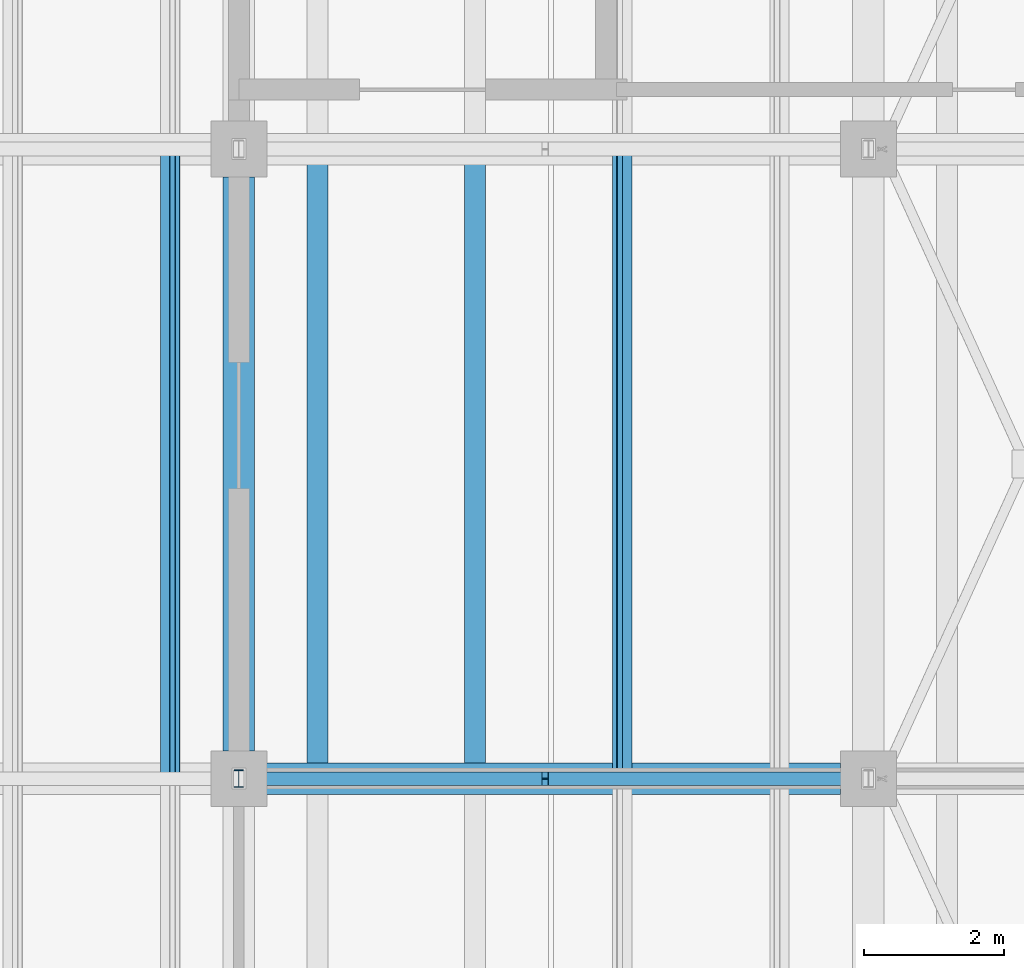
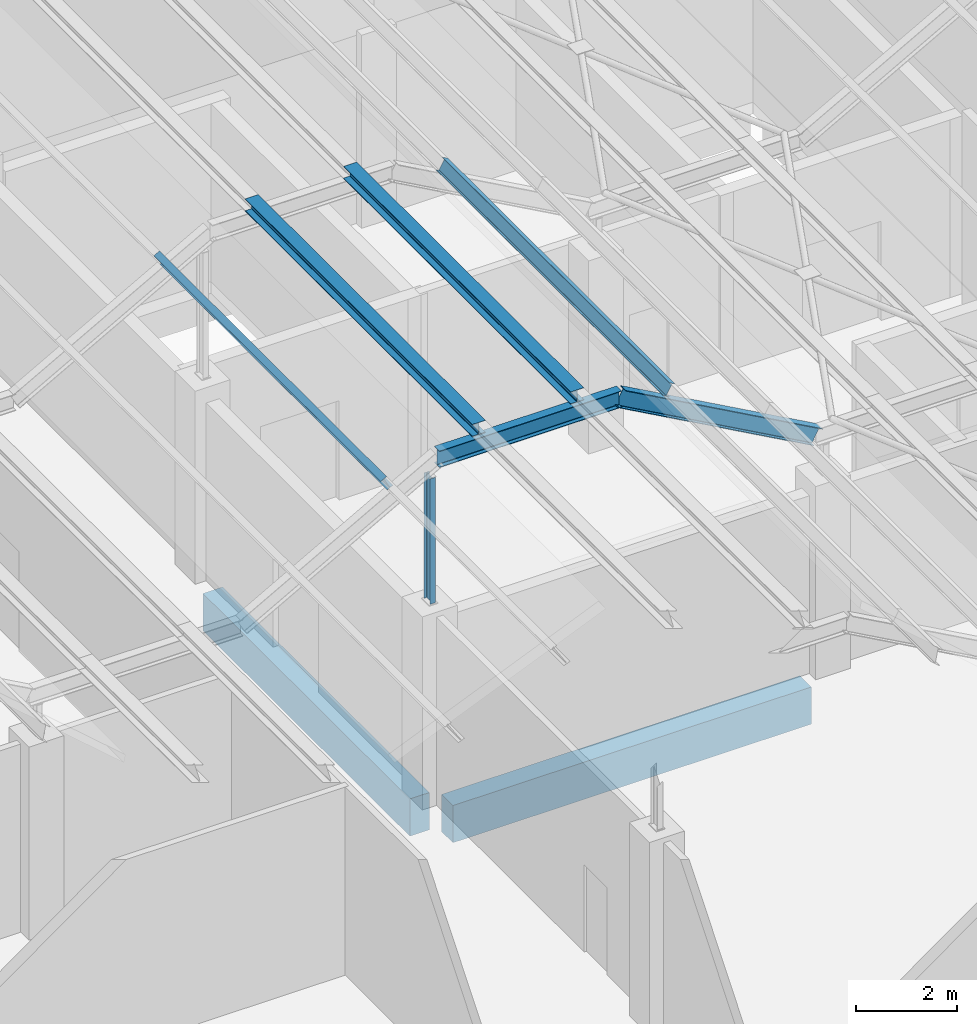
# One storey, part 64 of 437: 7 members, 2 beams.
"""IFC4 building model written with IfcOpenShell, lengths in metres."""

from ifc_helpers import new_model, si_unit, direction, frame, origin, origin_2d, place, context, subcontext, project, spatial, rectangle, i_section, extrude, material, material_profile, profile_set, type_object, element, save


model = new_model("IFC4")

# Units and contexts
model_context = context("Model", 3, precision=1e-05, world=origin(), true_north=direction((0.0, 1.0)))
body_context = subcontext(model_context, "Body", "Model", "MODEL_VIEW")
ifc_project = project(units=[si_unit("LENGTHUNIT", "METRE"), si_unit("AREAUNIT", "SQUARE_METRE"), si_unit("VOLUMEUNIT", "CUBIC_METRE"), si_unit("PLANEANGLEUNIT", "RADIAN"), si_unit("MASSUNIT", "GRAM", prefix="KILO")], contexts=[model_context])

# Site, building, storey
site_placement = place(None, origin())
site = spatial("IfcSite", under=ifc_project, at=site_placement, CompositionType="ELEMENT")
building_placement = place(site_placement, origin())
building = spatial("IfcBuilding", under=site, at=building_placement, Name="Opaline Strait Convention Centre", CompositionType="ELEMENT")
storey_placement = place(building_placement, frame((0.0, 0.0, 11.5)))
storey = spatial("IfcBuildingStorey", under=building, at=storey_placement, Name="L02", CompositionType="ELEMENT", Elevation=11.5)

# Members
ifc_material_1 = material(Name="Steel Q355B", Category="steel")
ifc_material_profile_1 = material_profile(ifc_material_1, i_section(OverallWidth=0.300048828125, OverallDepth=0.300048828125, WebThickness=0.010009765625, FlangeThickness=0.014892578125, FilletRadius=0.012939453125, at=origin_2d()), Name="HW 300x300x10x15")
ifc_profile_set_1 = profile_set([ifc_material_profile_1], Name="Steel Q355B")
member_type_1 = type_object("IfcMemberType", Name="Crest purlin HW 300x300x10x15", PredefinedType="PURLIN", material=ifc_profile_set_1)
for number, where, z_axis, x_axis, name in (
    (1, (64.125, 81.0, 8.449951171875), (0.0, 1.0, 0.0), (-1.0, 0.0, 0.0), "RU1 purlin facet 13 line 1"),
    (2, (66.375, 81.0, 8.449951171875), (0.0, 1.0, 0.0), (-1.0, 0.0, 0.0), "RU1 purlin facet 13 line 2"),
):
    element("IfcMember", number, at=place(storey_placement, frame(where, z_axis=z_axis, x_axis=x_axis)), inside=storey, type_object=member_type_1, Name=name, PredefinedType="PURLIN", context=body_context, shape_type="SweptSolid", body=[
        extrude(i_section(OverallWidth=0.300048828125, OverallDepth=0.300048828125, WebThickness=0.010009765625, FlangeThickness=0.014892578125, FilletRadius=0.012939453125, at=origin_2d()), origin(), (0.0, 0.0, 1.0), 9.0),
    ])

# Beams
ifc_material_2 = material(Name="Concrete C35", Category="concrete")
ifc_material_profile_2 = material_profile(ifc_material_2, rectangle(XDim=0.449951171875, YDim=0.89990234375, at=origin_2d()), Name="RC 450x900")
ifc_profile_set_2 = profile_set([ifc_material_profile_2], Name="Concrete C35")
beam_type = type_object("IfcBeamType", Name="RC beam 450x900 C35", PredefinedType="BEAM", material=ifc_profile_set_2)
for number, where, z_axis, x_axis, name in (
    (3, (63.39990234375, 81.0, -0.72998046875), (1.0, 0.0, 0.0), (0.0, 1.0, 0.0), "XB1 L02 63/81-72/81"),
    (4, (63.0, 81.39990234375, -0.72998046875), (0.0, 1.0, 0.0), (-1.0, 0.0, 0.0), "XB1 L02 63/81-63/90"),
):
    element("IfcBeam", number, at=place(storey_placement, frame(where, z_axis=z_axis, x_axis=x_axis)), inside=storey, type_object=beam_type, Name=name, PredefinedType="BEAM", context=body_context, shape_type="SweptSolid", body=[
        extrude(rectangle(XDim=0.449951171875, YDim=0.89990234375, at=origin_2d()), origin(), (0.0, 0.0, 1.0), 8.2001953125),
    ])

# Members
ifc_material_profile_3 = material_profile(ifc_material_1, i_section(OverallWidth=0.125, OverallDepth=0.25, WebThickness=0.006103515625, FlangeThickness=0.009033203125, FilletRadius=0.008056640625, at=origin_2d()), Name="HN 250x125x6x9")
ifc_profile_set_3 = profile_set([ifc_material_profile_3], Name="Steel Q355B")
member_type_2 = type_object("IfcMemberType", Name="Roof post HN 250x125x6x9", PredefinedType="STRUT", material=ifc_profile_set_3)
member_1_placement = place(storey_placement, frame((63.0, 81.0, 4.68994140625), z_axis=(0.0, 0.0, 1.0), x_axis=(1.0, 0.0, 0.0)))
element("IfcMember", 5, at=member_1_placement, inside=storey, type_object=member_type_2, Name="RP1 roof post at 63/81", PredefinedType="STRUT", context=body_context, shape_type="SweptSolid", body=[
    extrude(i_section(OverallWidth=0.125, OverallDepth=0.25, WebThickness=0.006103515625, FlangeThickness=0.009033203125, FilletRadius=0.008056640625, at=origin_2d()), origin(), (0.0, 0.0, 1.0), 3.031005859375),
])
ifc_material_profile_4 = material_profile(ifc_material_1, i_section(OverallWidth=0.14990234375, OverallDepth=0.300048828125, WebThickness=0.006591796875, FlangeThickness=0.009033203125, FilletRadius=0.012939453125, at=origin_2d()), Name="HN 300x150x6.5x9")
ifc_profile_set_4 = profile_set([ifc_material_profile_4], Name="Steel Q355B")
member_type_3 = type_object("IfcMemberType", Name="Roof purlin HN 300x150x6.5x9", PredefinedType="PURLIN", material=ifc_profile_set_4)
for number, where, z_axis, x_axis, name in (
    (6, (62.020751953125, 81.0, 7.86279296875), (0.0, 1.0, 0.0), (-0.874157310866, 0.0, -0.485642868639), "RU1 purlin facet 12 line 2"),
    (7, (68.479248046875, 81.0, 7.86279296875), (0.0, 1.0, 0.0), (-0.874157310866, 0.0, 0.485642868639), "RU1 purlin facet 14 line 1"),
):
    element("IfcMember", number, at=place(storey_placement, frame(where, z_axis=z_axis, x_axis=x_axis)), inside=storey, type_object=member_type_3, Name=name, PredefinedType="PURLIN", context=body_context, shape_type="SweptSolid", body=[
        extrude(i_section(OverallWidth=0.14990234375, OverallDepth=0.300048828125, WebThickness=0.006591796875, FlangeThickness=0.009033203125, FilletRadius=0.012939453125, at=origin_2d()), origin(), (0.0, 0.0, 1.0), 9.0),
    ])
ifc_material_profile_5 = material_profile(ifc_material_1, i_section(OverallWidth=0.199951171875, OverallDepth=0.39990234375, WebThickness=0.008056640625, FlangeThickness=0.012939453125, FilletRadius=0.012939453125, at=origin_2d()), Name="HN 400x200x8x13")
ifc_profile_set_5 = profile_set([ifc_material_profile_5], Name="Steel Q355B")
member_type_4 = type_object("IfcMemberType", Name="Roof rafter HN 400x200x8x13", PredefinedType="RAFTER", material=ifc_profile_set_5)
member_2_placement = place(storey_placement, frame((63.16845703125, 81.0, 8.10009765625), z_axis=(1.0, 0.0, 0.0), x_axis=(0.0, 1.0, 0.0)))
element("IfcMember", 8, at=member_2_placement, inside=storey, type_object=member_type_4, Name="RR1 rafter line 9 facet 14", PredefinedType="RAFTER", context=body_context, shape_type="SweptSolid", body=[
    extrude(i_section(OverallWidth=0.199951171875, OverallDepth=0.39990234375, WebThickness=0.008056640625, FlangeThickness=0.012939453125, FilletRadius=0.012939453125, at=origin_2d()), origin(), (0.0, 0.0, 1.0), 4.1630859375),
])
member_3_placement = place(storey_placement, frame((67.33154296875, 81.0, 8.10009765625), z_axis=(0.874157276122, 0.0, -0.485642931179), x_axis=(0.0, 1.0, 0.0)))
element("IfcMember", 9, at=member_3_placement, inside=storey, type_object=member_type_4, Name="RR1 rafter line 9 facet 15", PredefinedType="RAFTER", context=body_context, shape_type="SweptSolid", body=[
    extrude(i_section(OverallWidth=0.199951171875, OverallDepth=0.39990234375, WebThickness=0.008056640625, FlangeThickness=0.012939453125, FilletRadius=0.012939453125, at=origin_2d()), origin(), (0.0, 0.0, 1.0), 5.147705078125),
])

save(model, "model.ifc")
